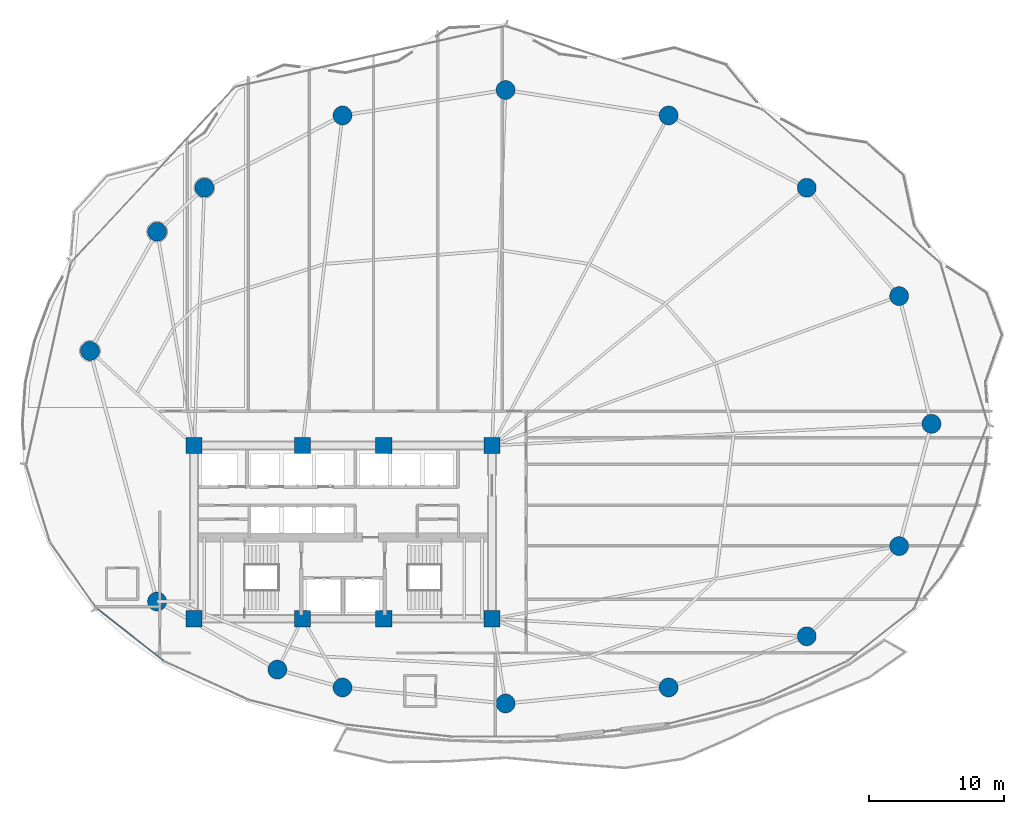
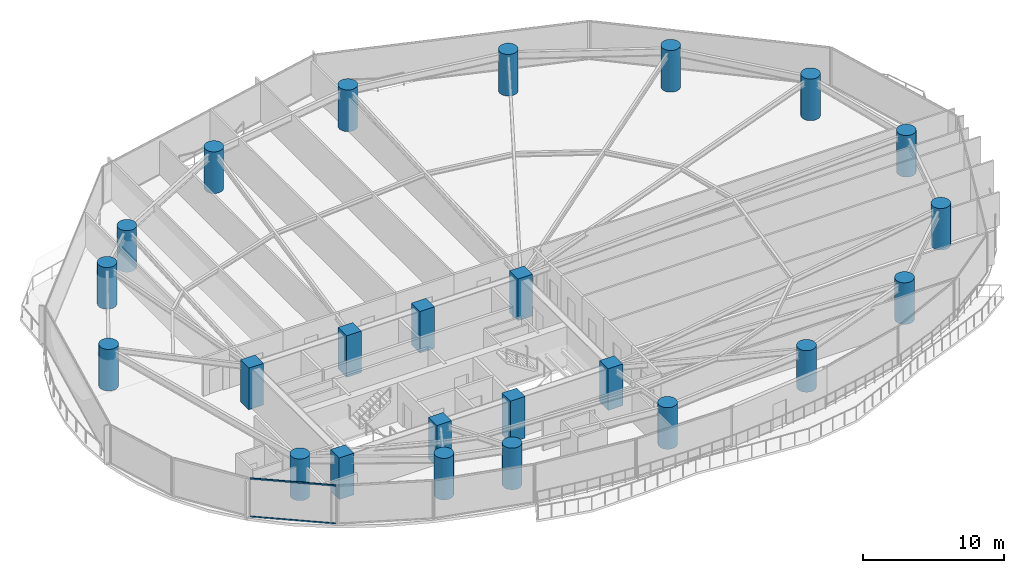
# One storey, part 1 of 33: 24 columns, 2 members, 1 element without a shape of its own.
"""IFC4 building model written with IfcOpenShell, lengths in metres."""

from ifc_helpers import new_model, si_unit, direction, frame, origin, origin_2d, place, context, subcontext, project, spatial, rectangle, hollow_rectangle, circle, extrude, material, layer, layer_set, material_profile, profile_set, type_object, element, aggregate, save


model = new_model("IFC4")

# Units and contexts
model_context = context("Model", 3, precision=1e-05, world=origin(), true_north=direction((0.0, 1.0)))
body_context = subcontext(model_context, "Body", "Model", "MODEL_VIEW")
ifc_project = project(units=[si_unit("LENGTHUNIT", "METRE"), si_unit("AREAUNIT", "SQUARE_METRE"), si_unit("VOLUMEUNIT", "CUBIC_METRE"), si_unit("PLANEANGLEUNIT", "RADIAN"), si_unit("MASSUNIT", "GRAM", prefix="KILO")], contexts=[model_context])

# Site, building, storey
site_placement = place(None, origin())
site = spatial("IfcSite", under=ifc_project, at=site_placement, CompositionType="ELEMENT")
building_placement = place(site_placement, origin())
building = spatial("IfcBuilding", under=site, at=building_placement, Name="Kazevale Care Tower and Concert Hall", CompositionType="ELEMENT")
storey_placement = place(building_placement, frame((0.0, 0.0, 45.60009765625)))
storey = spatial("IfcBuildingStorey", under=building, at=storey_placement, Name="L11", CompositionType="ELEMENT", Elevation=45.60009765625)

# Columns
ifc_material_1 = material(Name="Concrete C70", Category="concrete")
ifc_material_profile_1 = material_profile(ifc_material_1, rectangle(XDim=1.199951171875, YDim=1.199951171875, at=origin_2d()), Name="RC-SQ1200")
ifc_profile_set_1 = profile_set([ifc_material_profile_1], Name="Concrete C70")
column_type_1 = type_object("IfcColumnType", Name="Core Column SQ1200 C70", PredefinedType="COLUMN", material=ifc_profile_set_1)
for number, where, z_axis, x_axis, name in (
    (1, (22.0, 23.60009765625, 0.0), (0.0, 0.0, 1.0), (1.0, 0.0, 0.0), "col:L11:CC-01"),
    (2, (30.0, 23.60009765625, 0.0), (0.0, 0.0, 1.0), (1.0, 0.0, 0.0), "col:L11:CC-02"),
    (3, (36.0, 23.60009765625, 0.0), (0.0, 0.0, 1.0), (1.0, 0.0, 0.0), "col:L11:CC-03"),
    (4, (44.0, 23.60009765625, 0.0), (0.0, 0.0, 1.0), (1.0, 0.0, 0.0), "col:L11:CC-04"),
    (5, (44.0, 36.39990234375, 0.0), (0.0, 0.0, 1.0), (1.0, 0.0, 0.0), "col:L11:CC-05"),
    (6, (36.0, 36.39990234375, 0.0), (0.0, 0.0, 1.0), (1.0, 0.0, 0.0), "col:L11:CC-06"),
    (7, (30.0, 36.39990234375, 0.0), (0.0, 0.0, 1.0), (1.0, 0.0, 0.0), "col:L11:CC-07"),
    (8, (22.0, 36.39990234375, 0.0), (0.0, 0.0, 1.0), (1.0, 0.0, 0.0), "col:L11:CC-08"),
):
    element("IfcColumn", number, at=place(storey_placement, frame(where, z_axis=z_axis, x_axis=x_axis)), inside=storey, type_object=column_type_1, Name=name, PredefinedType="COLUMN", context=body_context, shape_type="SweptSolid", body=[
        extrude(rectangle(XDim=1.199951171875, YDim=1.199951171875, at=origin_2d()), origin(), (0.0, 0.0, 1.0), 3.599853515625),
    ])
ifc_material_profile_2 = material_profile(ifc_material_1, circle(Radius=0.699951171875, at=origin_2d()), Name="RC-CIR1400")
ifc_profile_set_2 = profile_set([ifc_material_profile_2], Name="Concrete C70")
column_type_2 = type_object("IfcColumnType", Name="Perimeter Column CIR1400 C70", PredefinedType="COLUMN", material=ifc_profile_set_2)
for number, where, z_axis, x_axis, name in (
    (9, (76.449951171875, 38.0, 0.0), (0.0, 0.0, 1.0), (1.0, 0.0, 0.0), "col:L11:PC-01"),
    (10, (74.06005859375, 47.429931640625, 0.0), (0.0, 0.0, 1.0), (1.0, 0.0, 0.0), "col:L11:PC-02"),
    (11, (67.239990234375, 55.429931640625, 0.0), (0.0, 0.0, 1.0), (1.0, 0.0, 0.0), "col:L11:PC-03"),
    (12, (57.0400390625, 60.77001953125, 0.0), (0.0, 0.0, 1.0), (1.0, 0.0, 0.0), "col:L11:PC-04"),
    (13, (45.0, 62.64990234375, 0.0), (0.0, 0.0, 1.0), (1.0, 0.0, 0.0), "col:L11:PC-05"),
    (14, (32.9599609375, 60.77001953125, 0.0), (0.0, 0.0, 1.0), (1.0, 0.0, 0.0), "col:L11:PC-06"),
    (15, (22.760009765625, 55.429931640625, 0.0), (0.0, 0.0, 1.0), (1.0, 0.0, 0.0), "col:L11:PC-07"),
    (16, (19.27001953125, 52.179931640625, 0.0), (0.0, 0.0, 1.0), (1.0, 0.0, 0.0), "col:L11:PC-08"),
    (17, (14.31005859375, 43.3798828125, 0.0), (0.0, 0.0, 1.0), (1.0, 0.0, 0.0), "col:L11:PC-09"),
    (18, (19.27001953125, 24.8798828125, 0.0), (0.0, 0.0, 1.0), (1.0, 0.0, 0.0), "col:L11:PC-10"),
    (19, (28.14990234375, 19.85009765625, 0.0), (0.0, 0.0, 1.0), (1.0, 0.0, 0.0), "col:L11:PC-11"),
    (20, (32.9599609375, 18.530029296875, 0.0), (0.0, 0.0, 1.0), (1.0, 0.0, 0.0), "col:L11:PC-12"),
    (21, (45.0, 17.35009765625, 0.0), (0.0, 0.0, 1.0), (1.0, 0.0, 0.0), "col:L11:PC-13"),
    (22, (57.0400390625, 18.530029296875, 0.0), (0.0, 0.0, 1.0), (1.0, 0.0, 0.0), "col:L11:PC-14"),
    (23, (67.239990234375, 22.31005859375, 0.0), (0.0, 0.0, 1.0), (1.0, 0.0, 0.0), "col:L11:PC-15"),
    (24, (74.06005859375, 28.969970703125, 0.0), (0.0, 0.0, 1.0), (1.0, 0.0, 0.0), "col:L11:PC-16"),
):
    element("IfcColumn", number, at=place(storey_placement, frame(where, z_axis=z_axis, x_axis=x_axis)), inside=storey, type_object=column_type_2, Name=name, PredefinedType="COLUMN", context=body_context, shape_type="SweptSolid", body=[
        extrude(circle(Radius=0.699951171875, at=origin_2d()), origin(), (0.0, 0.0, 1.0), 3.599853515625),
    ])

# Curtain wall, members
ifc_material_2 = material(Name="Aluminium 6063-T6 and Low-E Glass", Category="aluminium")
ifc_layer = layer(ifc_material_2, 0.179931640625)
ifc_layer_set = layer_set([ifc_layer], Name="Aluminium 6063-T6 and Low-E Glass")
curtain_wall_type = type_object("IfcCurtainWallType", Name="Sheltered Concave Balcony Curtain Wall CW-5", PredefinedType="NOTDEFINED", material=ifc_layer_set)
curtain_wall_placement = place(storey_placement, origin())
curtain_wall = element("IfcCurtainWall", 25, at=curtain_wall_placement, inside=storey, type_object=curtain_wall_type, Name="cw:L11:f10", PredefinedType="NOTDEFINED")
ifc_material_3 = material(Name="Aluminium 6063-T6", Category="aluminium")
ifc_material_profile_3 = material_profile(ifc_material_3, hollow_rectangle(XDim=0.074951171875, YDim=0.1201171875, WallThickness=0.00390625, at=origin_2d()), Name="ALU75x120x4")
ifc_profile_set_3 = profile_set([ifc_material_profile_3], Name="Aluminium 6063-T6")
member_type = type_object("IfcMemberType", Name="CW-5 Transom ALU75x120x4", PredefinedType="USERDEFINED", material=ifc_profile_set_3)
member_1_placement = place(storey_placement, frame((19.718994140625, 20.513427734375, 0.037353515625), z_axis=(-0.78633897536, 0.617795286344, 0.0), x_axis=(-0.617795286344, -0.78633897536, 0.0)))
member_1 = element("IfcMember", 26, at=member_1_placement, type_object=member_type, Name="CW-5 transom 1.1", ObjectType="TRANSOM", PredefinedType="USERDEFINED", context=body_context, shape_type="SweptSolid", body=[
    extrude(hollow_rectangle(XDim=0.074951171875, YDim=0.1201171875, WallThickness=0.00390625, at=origin_2d()), origin(), (0.0, 0.0, 1.0), 6.15771484375),
])
member_2_placement = place(storey_placement, frame((19.718994140625, 20.513427734375, 3.322509765625), z_axis=(-0.78633897536, 0.617795286344, 0.0), x_axis=(-0.617795286344, -0.78633897536, 0.0)))
member_2 = element("IfcMember", 27, at=member_2_placement, type_object=member_type, Name="CW-5 transom 1.2", ObjectType="TRANSOM", PredefinedType="USERDEFINED", context=body_context, shape_type="SweptSolid", body=[
    extrude(hollow_rectangle(XDim=0.074951171875, YDim=0.1201171875, WallThickness=0.00390625, at=origin_2d()), origin(), (0.0, 0.0, 1.0), 6.15771484375),
])
aggregate(curtain_wall, [member_1, member_2])

save(model, "model.ifc")
